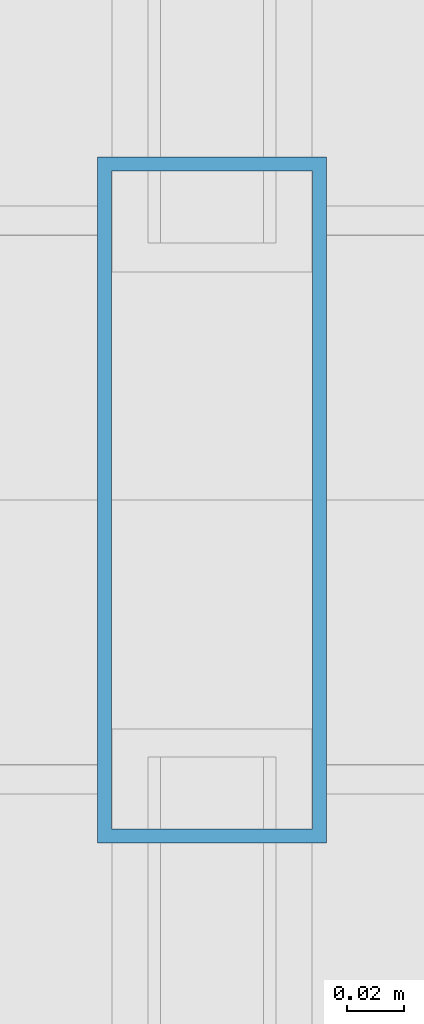
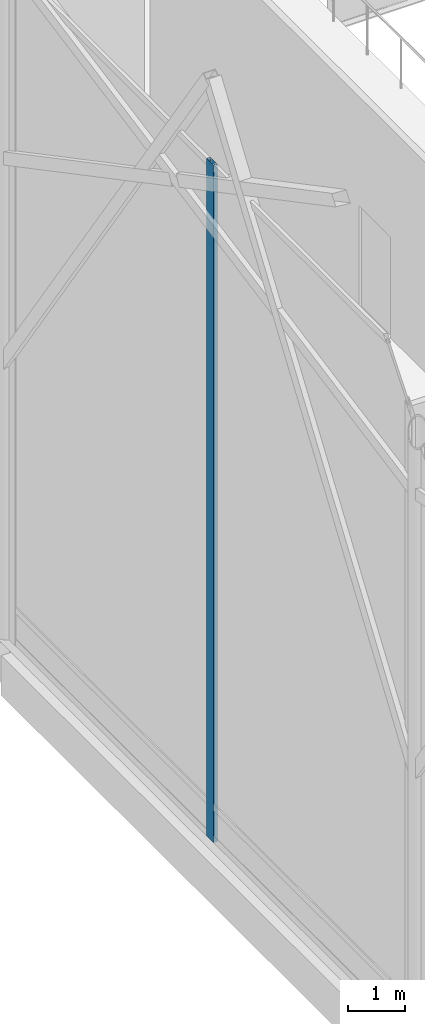
# One storey, part 58 of 220: 1 member, 1 element without a shape of its own.
"""IFC4 building model written with IfcOpenShell, lengths in metres."""

from ifc_helpers import new_model, si_unit, direction, frame, origin, origin_2d, place, context, subcontext, project, spatial, hollow_rectangle, extrude, material, material_profile, profile_set, type_object, element, aggregate, save


model = new_model("IFC4")

# Units and contexts
model_context = context("Model", 3, precision=1e-05, world=origin(), true_north=direction((0.0, 1.0)))
body_context = subcontext(model_context, "Body", "Model", "MODEL_VIEW")
ifc_project = project(units=[si_unit("LENGTHUNIT", "METRE"), si_unit("AREAUNIT", "SQUARE_METRE"), si_unit("VOLUMEUNIT", "CUBIC_METRE"), si_unit("PLANEANGLEUNIT", "RADIAN"), si_unit("MASSUNIT", "GRAM", prefix="KILO")], contexts=[model_context])

# Site, building, storey
site_placement = place(None, origin())
site = spatial("IfcSite", under=ifc_project, at=site_placement, CompositionType="ELEMENT")
building_placement = place(site_placement, origin())
building = spatial("IfcBuilding", under=site, at=building_placement, Name="Cendralis Lancet Convention Centre", CompositionType="ELEMENT")
storey_placement = place(building_placement, frame((0.0, 0.0, 5.39990234375)))
storey = spatial("IfcBuildingStorey", under=building, at=storey_placement, Name="L01", CompositionType="ELEMENT", Elevation=5.39990234375)

# Curtain wall, member
ifc_material = material(Name="Anodised bronze architectural aluminium", Category="aluminium")
curtain_wall_type = type_object("IfcCurtainWallType", Name="ARC-CW-GB02", PredefinedType="USERDEFINED", material=ifc_material)
curtain_wall_placement = place(storey_placement, origin())
curtain_wall = element("IfcCurtainWall", 1, at=curtain_wall_placement, inside=storey, type_object=curtain_wall_type, Name="L01 Curtain Wall CW-GB2 #102", ObjectType="CURTAIN WALL", PredefinedType="USERDEFINED")
ifc_material_profile = material_profile(ifc_material, hollow_rectangle(XDim=0.080078125, YDim=0.239990234375, WallThickness=0.0048828125, at=origin_2d()), Name="AL-MULL 80x240x5.0")
ifc_profile_set = profile_set([ifc_material_profile], Name="Anodised bronze architectural aluminium")
member_type = type_object("IfcMemberType", Name="ARC-CW-ML03", PredefinedType="MULLION", material=ifc_profile_set)
member_placement = place(storey_placement, frame((0.0, 100.800048828125, 0.0), z_axis=(0.0, 0.0, 1.0), x_axis=(1.0, 0.0, 0.0)))
member = element("IfcMember", 2, at=member_placement, type_object=member_type, Name="Mullion CW2-CW-GB2-L01-102-M1", PredefinedType="MULLION", context=body_context, shape_type="SweptSolid", body=[
    extrude(hollow_rectangle(XDim=0.080078125, YDim=0.239990234375, WallThickness=0.0048828125, at=origin_2d()), origin(), (0.0, 0.0, 1.0), 14.4560546875),
])
aggregate(curtain_wall, [member])

save(model, "model.ifc")
